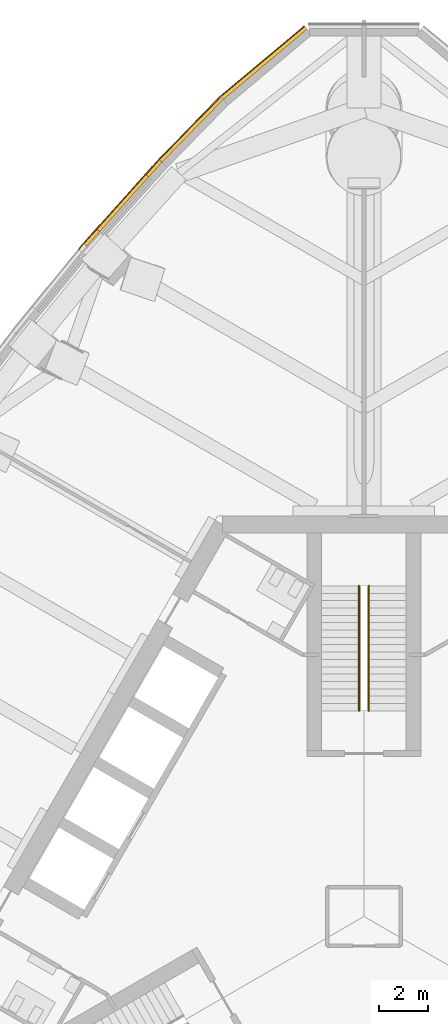
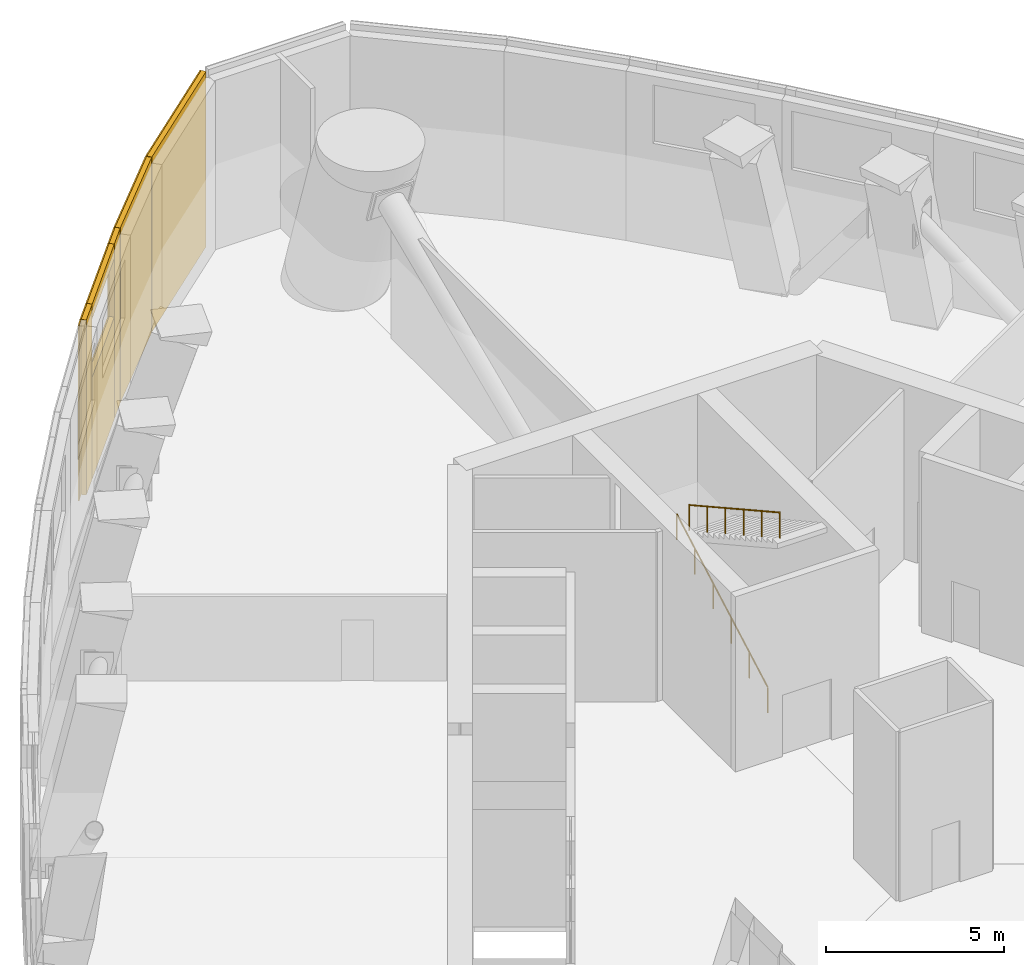
# One storey, part 17 of 22: 13 coverings, 2 railings.
"""IFC4 building model written with IfcOpenShell, lengths in metres."""

from ifc_helpers import new_model, si_unit, direction, frame, origin, origin_2d, place, context, subcontext, project, spatial, rectangle, circle, extrude, material, layer, layer_set, type_object, element, save


model = new_model("IFC4")

# Units and contexts
model_context = context("Model", 3, precision=1e-05, world=origin(), true_north=direction((0.0, 1.0)))
body_context = subcontext(model_context, "Body", "Model", "MODEL_VIEW")
ifc_project = project(units=[si_unit("LENGTHUNIT", "METRE"), si_unit("AREAUNIT", "SQUARE_METRE"), si_unit("VOLUMEUNIT", "CUBIC_METRE"), si_unit("PLANEANGLEUNIT", "RADIAN"), si_unit("MASSUNIT", "GRAM", prefix="KILO")], contexts=[model_context])

# Site, building, storey
site_placement = place(None, origin())
site = spatial("IfcSite", under=ifc_project, at=site_placement, CompositionType="ELEMENT")
building_placement = place(site_placement, origin())
building = spatial("IfcBuilding", under=site, at=building_placement, Name="Trefoil Bronze Tower", CompositionType="ELEMENT")
storey_placement = place(building_placement, frame((0.0, 0.0, 265.300048828125)))
storey = spatial("IfcBuildingStorey", under=building, at=storey_placement, Name="L61", CompositionType="ELEMENT", Elevation=265.300048828125)

# Coverings
ifc_material_1 = material(Name="Bronze-finish aluminium rainscreen panel on aluminium rails", Category="aluminium")
ifc_layer_1 = layer(ifc_material_1, 0.0400390625)
ifc_layer_set_1 = layer_set([ifc_layer_1], Name="Bronze cladding panel 40")
covering_type_1 = type_object("IfcCoveringType", Name="Bronze cladding panel 40", PredefinedType="CLADDING", material=ifc_layer_set_1)
covering_1_placement = place(storey_placement, frame((-4.141845703125, 34.904052734375, 0.0), z_axis=(0.0, 0.0, 1.0), x_axis=(-0.766044443063, -0.642787609753, 0.0)))
element("IfcCovering", 1, at=covering_1_placement, inside=storey, type_object=covering_type_1, Name="Cladding panel L61 Corner 2.3 piece 1", PredefinedType="CLADDING", context=body_context, shape_type="SweptSolid", body=[
    extrude(rectangle(XDim=4.457763671875, YDim=0.0400390625, at=origin_2d()), origin(), (0.0, 0.0, 1.0), 6.0),
])
covering_2_placement = place(storey_placement, frame((-7.117431640625, 32.175048828125, 0.0), z_axis=(0.0, 0.0, 1.0), x_axis=(-0.698651812537, -0.715461840239, 0.0)))
element("IfcCovering", 2, at=covering_2_placement, inside=storey, type_object=covering_type_1, Name="Cladding panel L61 Face 3.1 piece 1", PredefinedType="CLADDING", context=body_context, shape_type="SweptSolid", body=[
    extrude(rectangle(XDim=3.563720703125, YDim=0.0400390625, at=origin_2d()), origin(), (0.0, 0.0, 1.0), 6.0),
])
for number, where, z_axis, x_axis, name in (
    (3, (-8.638671875, 30.593017578125, 0.0), (0.0, 0.0, 1.0), (-0.668245743959, -0.743940606286, 0.0), "Cladding panel L61 Face 3.2 piece 1"),
    (4, (-11.177734375, 27.76611328125, 0.0), (0.0, 0.0, 1.0), (-0.668245743959, -0.743940606286, 0.0), "Cladding panel L61 Face 3.2 piece 2"),
):
    element("IfcCovering", number, at=place(storey_placement, frame(where, z_axis=z_axis, x_axis=x_axis)), inside=storey, type_object=covering_type_1, Name=name, PredefinedType="CLADDING", context=body_context, shape_type="SweptSolid", body=[
        extrude(rectangle(XDim=0.7998046875, YDim=0.0400390625, at=origin_2d()), origin(), (0.0, 0.0, 1.0), 6.0),
    ])
covering_3_placement = place(storey_placement, frame((-9.908203125, 29.1796875, 0.0), z_axis=(0.0, 0.0, 1.0), x_axis=(-0.668245743959, -0.743940606286, 0.0)))
element("IfcCovering", 5, at=covering_3_placement, inside=storey, type_object=covering_type_1, Name="Cladding panel L61 Face 3.2 piece 3", PredefinedType="CLADDING", context=body_context, shape_type="SweptSolid", body=[
    extrude(rectangle(XDim=3.0, YDim=0.0400390625, at=origin_2d()), origin(), (0.0, 0.0, 1.0), 3.5),
])
covering_4_placement = place(storey_placement, frame((-9.908203125, 29.1796875, 5.5), z_axis=(0.0, 0.0, 1.0), x_axis=(-0.668245743959, -0.743940606286, 0.0)))
element("IfcCovering", 6, at=covering_4_placement, inside=storey, type_object=covering_type_1, Name="Cladding panel L61 Face 3.2 piece 4", PredefinedType="CLADDING", context=body_context, shape_type="SweptSolid", body=[
    extrude(rectangle(XDim=3.0, YDim=0.0400390625, at=origin_2d()), origin(), (0.0, 0.0, 1.0), 0.5),
])
covering_5_placement = place(storey_placement, frame((-11.549560546875, 27.34130859375, 0.0), z_axis=(0.0, 0.0, 1.0), x_axis=(-0.632752613064, -0.774354008616, 0.0)))
element("IfcCovering", 7, at=covering_5_placement, inside=storey, type_object=covering_type_1, Name="Cladding panel L61 Face 3.3 piece 1", PredefinedType="CLADDING", context=body_context, shape_type="SweptSolid", body=[
    extrude(rectangle(XDim=0.300048828125, YDim=0.0400390625, at=origin_2d()), origin(), (0.0, 0.0, 1.0), 6.0),
])

# Railings
ifc_material_2 = material(Name="Steel handrail", Category="steel")
railing_type = type_object("IfcRailingType", Name="Handrail 900", PredefinedType="HANDRAIL", material=ifc_material_2)
railing_1_placement = place(storey_placement, frame((-0.199951171875, 8.389892578125, 0.16650390625)))
element("IfcRailing", 8, at=railing_1_placement, inside=storey, type_object=railing_type, Name="Handrail ST2 flight 1 L61", PredefinedType="HANDRAIL", context=body_context, shape_type="SweptSolid", body=[
    extrude(circle(Radius=0.02392578125, at=origin_2d()), frame((0.0, 0.0, 0.8759765625), z_axis=(0.0, 0.874149380657, 0.485657142743), x_axis=(-1.0, 0.0, 0.0)), (0.0, 0.0, 1.0), 5.83447265625),
    extrude(circle(Radius=0.02099609375, at=origin_2d()), origin(), (0.0, 0.0, 1.0), 0.851806640625),
    extrude(circle(Radius=0.02099609375, at=origin_2d()), frame((0.0, 1.02001953125, 0.566650390625)), (0.0, 0.0, 1.0), 0.851806640625),
    extrude(circle(Radius=0.02099609375, at=origin_2d()), frame((0.0, 2.0400390625, 1.13330078125)), (0.0, 0.0, 1.0), 0.851806640625),
    extrude(circle(Radius=0.02099609375, at=origin_2d()), frame((0.0, 3.06005859375, 1.7001953125)), (0.0, 0.0, 1.0), 0.851806640625),
    extrude(circle(Radius=0.02099609375, at=origin_2d()), frame((0.0, 4.080078125, 2.266845703125)), (0.0, 0.0, 1.0), 0.851806640625),
    extrude(circle(Radius=0.02099609375, at=origin_2d()), frame((0.0, 5.10009765625, 2.83349609375)), (0.0, 0.0, 1.0), 0.851806640625),
])
railing_2_placement = place(storey_placement, frame((0.199951171875, 13.489990234375, 3.16650390625)))
element("IfcRailing", 9, at=railing_2_placement, inside=storey, type_object=railing_type, Name="Handrail ST2 flight 2 L61", PredefinedType="HANDRAIL", context=body_context, shape_type="SweptSolid", body=[
    extrude(circle(Radius=0.02392578125, at=origin_2d()), frame((0.0, 0.0, 0.8759765625), z_axis=(0.0, -0.874149380657, 0.485657142743), x_axis=(1.0, 0.0, 0.0)), (0.0, 0.0, 1.0), 5.83447265625),
    extrude(circle(Radius=0.02099609375, at=origin_2d()), origin(), (0.0, 0.0, 1.0), 0.851806640625),
    extrude(circle(Radius=0.02099609375, at=origin_2d()), frame((0.0, -1.02001953125, 0.566650390625)), (0.0, 0.0, 1.0), 0.851806640625),
    extrude(circle(Radius=0.02099609375, at=origin_2d()), frame((0.0, -2.0400390625, 1.13330078125)), (0.0, 0.0, 1.0), 0.851806640625),
    extrude(circle(Radius=0.02099609375, at=origin_2d()), frame((0.0, -3.06005859375, 1.7001953125)), (0.0, 0.0, 1.0), 0.851806640625),
    extrude(circle(Radius=0.02099609375, at=origin_2d()), frame((0.0, -4.080078125, 2.266845703125)), (0.0, 0.0, 1.0), 0.851806640625),
    extrude(circle(Radius=0.02099609375, at=origin_2d()), frame((0.0, -5.10009765625, 2.83349609375)), (0.0, 0.0, 1.0), 0.851806640625),
])

# Coverings
ifc_material_3 = material(Name="Non-combustible mineral wool slab", Category="insulation")
ifc_layer_2 = layer(ifc_material_3, 0.14990234375)
ifc_layer_set_2 = layer_set([ifc_layer_2], Name="Rainscreen insulation 150")
covering_type_2 = type_object("IfcCoveringType", Name="Rainscreen insulation 150", PredefinedType="INSULATION", material=ifc_layer_set_2)
covering_6_placement = place(storey_placement, frame((-4.080810546875, 34.831298828125, 0.0), z_axis=(0.0, 0.0, 1.0), x_axis=(-0.766044443063, -0.642787609753, 0.0)))
element("IfcCovering", 10, at=covering_6_placement, inside=storey, type_object=covering_type_2, Name="Insulation L61 Corner 2.3 piece 1", PredefinedType="INSULATION", context=body_context, shape_type="SweptSolid", body=[
    extrude(rectangle(XDim=4.457763671875, YDim=0.14990234375, at=origin_2d()), origin(), (0.0, 0.0, 1.0), 6.0),
])
covering_7_placement = place(storey_placement, frame((-7.049560546875, 32.108642578125, 0.0), z_axis=(0.0, 0.0, 1.0), x_axis=(-0.698651812537, -0.715461840239, 0.0)))
element("IfcCovering", 11, at=covering_7_placement, inside=storey, type_object=covering_type_2, Name="Insulation L61 Face 3.1 piece 1", PredefinedType="INSULATION", context=body_context, shape_type="SweptSolid", body=[
    extrude(rectangle(XDim=3.563720703125, YDim=0.14990234375, at=origin_2d()), origin(), (0.0, 0.0, 1.0), 6.0),
])
for number, where, z_axis, x_axis, name in (
    (12, (-8.56787109375, 30.529541015625, 0.0), (0.0, 0.0, 1.0), (-0.668245743959, -0.743940606286, 0.0), "Insulation L61 Face 3.2 piece 1"),
    (13, (-11.107177734375, 27.70263671875, 0.0), (0.0, 0.0, 1.0), (-0.668245743959, -0.743940606286, 0.0), "Insulation L61 Face 3.2 piece 2"),
):
    element("IfcCovering", number, at=place(storey_placement, frame(where, z_axis=z_axis, x_axis=x_axis)), inside=storey, type_object=covering_type_2, Name=name, PredefinedType="INSULATION", context=body_context, shape_type="SweptSolid", body=[
        extrude(rectangle(XDim=0.7998046875, YDim=0.14990234375, at=origin_2d()), origin(), (0.0, 0.0, 1.0), 6.0),
    ])
covering_8_placement = place(storey_placement, frame((-9.837646484375, 29.1162109375, 0.0), z_axis=(0.0, 0.0, 1.0), x_axis=(-0.668245743959, -0.743940606286, 0.0)))
element("IfcCovering", 14, at=covering_8_placement, inside=storey, type_object=covering_type_2, Name="Insulation L61 Face 3.2 piece 3", PredefinedType="INSULATION", context=body_context, shape_type="SweptSolid", body=[
    extrude(rectangle(XDim=3.0, YDim=0.14990234375, at=origin_2d()), origin(), (0.0, 0.0, 1.0), 3.5),
])
covering_9_placement = place(storey_placement, frame((-9.837646484375, 29.1162109375, 5.5), z_axis=(0.0, 0.0, 1.0), x_axis=(-0.668245743959, -0.743940606286, 0.0)))
element("IfcCovering", 15, at=covering_9_placement, inside=storey, type_object=covering_type_2, Name="Insulation L61 Face 3.2 piece 4", PredefinedType="INSULATION", context=body_context, shape_type="SweptSolid", body=[
    extrude(rectangle(XDim=3.0, YDim=0.14990234375, at=origin_2d()), origin(), (0.0, 0.0, 1.0), 0.5),
])

save(model, "model.ifc")
